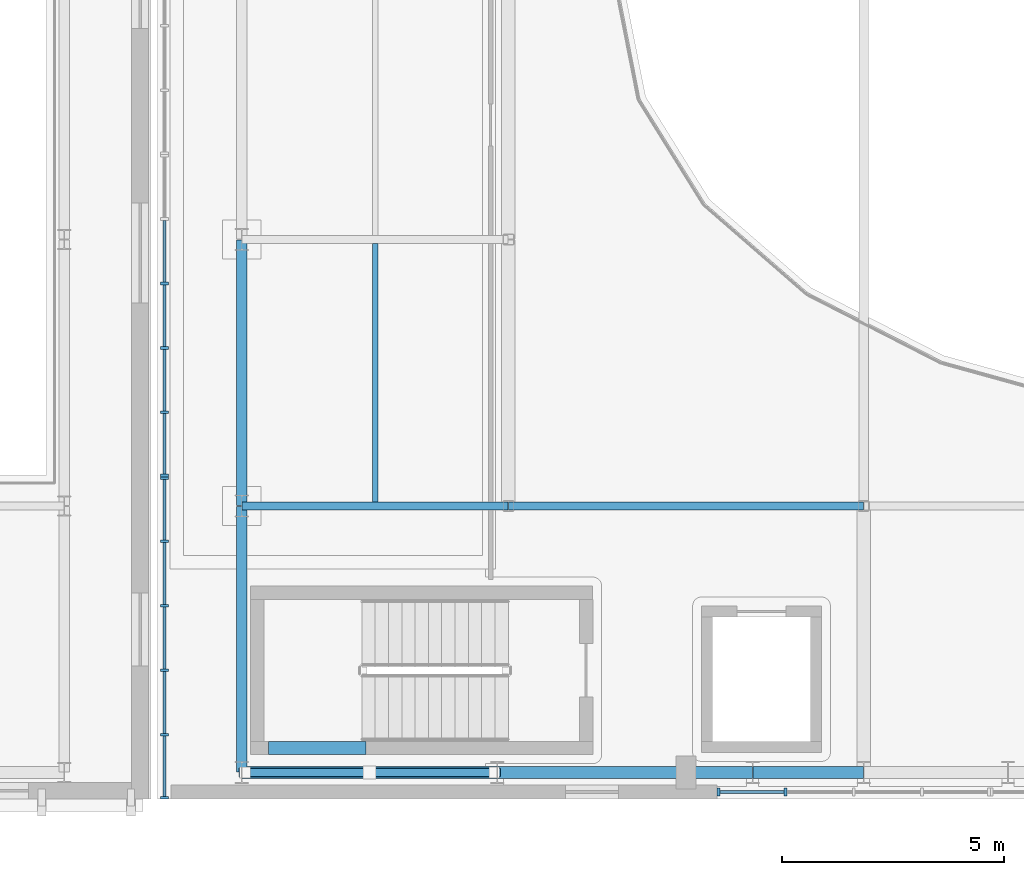
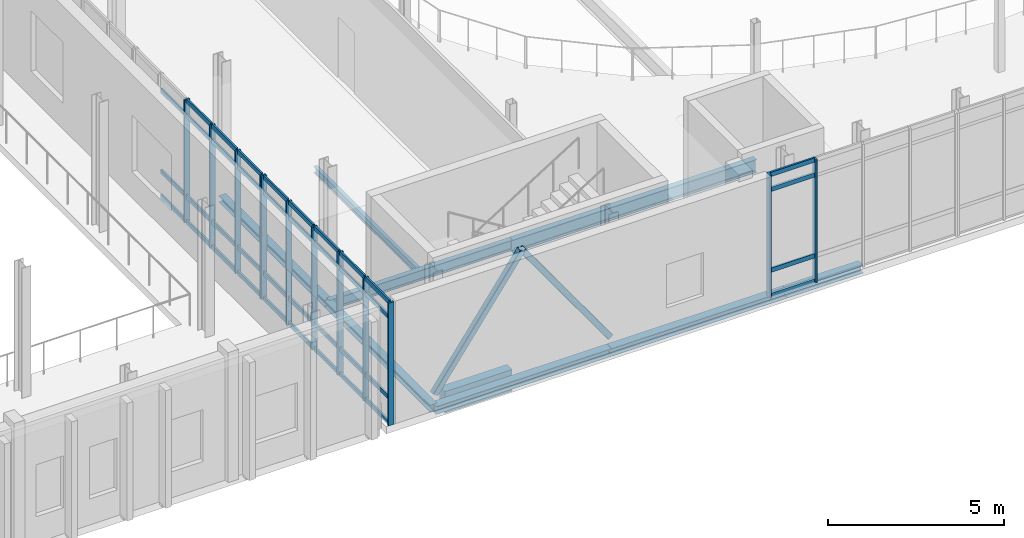
# One storey, part 17 of 100: 53 members, 9 beams, 3 elements without a shape of their own.
"""IFC4 building model written with IfcOpenShell, lengths in metres."""

from ifc_helpers import new_model, si_unit, direction, frame, origin, origin_2d, place, context, subcontext, project, spatial, rectangle, hollow_rectangle, i_section, extrude, material, material_profile, profile_set, type_object, element, aggregate, save


model = new_model("IFC4")

# Units and contexts
model_context = context("Model", 3, precision=1e-05, world=origin(), true_north=direction((0.0, 1.0)))
body_context = subcontext(model_context, "Body", "Model", "MODEL_VIEW")
ifc_project = project(units=[si_unit("LENGTHUNIT", "METRE"), si_unit("AREAUNIT", "SQUARE_METRE"), si_unit("VOLUMEUNIT", "CUBIC_METRE"), si_unit("PLANEANGLEUNIT", "RADIAN"), si_unit("MASSUNIT", "GRAM", prefix="KILO")], contexts=[model_context])

# Site, building, storey
site_placement = place(None, origin())
site = spatial("IfcSite", under=ifc_project, at=site_placement, CompositionType="ELEMENT")
building_placement = place(site_placement, origin())
building = spatial("IfcBuilding", under=site, at=building_placement, Name="Cymarion Research Institute", CompositionType="ELEMENT")
storey_placement = place(building_placement, frame((0.0, 0.0, 9.300048828125)))
storey = spatial("IfcBuildingStorey", under=building, at=storey_placement, Name="L02", CompositionType="ELEMENT", Elevation=9.300048828125)

# Beam
ifc_material_1 = material(Name="Concrete C40/50", Category="concrete")
ifc_material_profile_1 = material_profile(ifc_material_1, rectangle(XDim=0.300048828125, YDim=0.75, at=origin_2d()), Name="RC 300x750")
ifc_profile_set_1 = profile_set([ifc_material_profile_1], Name="Concrete C40/50")
beam_type_1 = type_object("IfcBeamType", Name="COUPLING LINTEL LN01 RC 300x750", PredefinedType="LINTEL", material=ifc_profile_set_1)
beam_1_placement = place(storey_placement, frame((57.199951171875, 6.050048828125, -0.64501953125), z_axis=(1.0, 0.0, 0.0), x_axis=(0.0, 1.0, 0.0)))
element("IfcBeam", 1, at=beam_1_placement, inside=storey, type_object=beam_type_1, Name="L02 C3 core coupling lintel LN01", PredefinedType="LINTEL", context=body_context, shape_type="SweptSolid", body=[
    extrude(rectangle(XDim=0.300048828125, YDim=0.75, at=origin_2d()), origin(), (0.0, 0.0, 1.0), 2.199951171875),
])

# Curtain wall, members
ifc_material_2 = material(Name="Anodised aluminium unitised curtain wall with Low-E glazing", Category="aluminium")
curtain_wall_type_1 = type_object("IfcCurtainWallType", Name="UNITISED CURTAIN WALL CW07 6150X4250", PredefinedType="NOTDEFINED", material=ifc_material_2)
curtain_wall_1_placement = place(storey_placement, origin())
curtain_wall_1 = element("IfcCurtainWall", 2, at=curtain_wall_1_placement, inside=storey, type_object=curtain_wall_type_1, Name="L02 V2 unitised curtain wall CW07 #72", PredefinedType="NOTDEFINED")
ifc_material_3 = material(Name="Anodised aluminium framing", Category="aluminium")
ifc_material_profile_2 = material_profile(ifc_material_3, rectangle(XDim=0.06005859375, YDim=0.179931640625, at=origin_2d()), Name="ALU MULLION 60x180")
ifc_profile_set_2 = profile_set([ifc_material_profile_2], Name="Anodised aluminium framing")
member_type_1 = type_object("IfcMemberType", Name="CURTAIN WALL MULLION ML01 60X180", PredefinedType="MULLION", material=ifc_profile_set_2)
member_1_placement = place(storey_placement, frame((67.3310546875, 5.06005859375, 0.0), z_axis=(0.0, 0.0, 1.0), x_axis=(1.0, 0.0, 0.0)))
member_1 = element("IfcMember", 3, at=member_1_placement, type_object=member_type_1, Name="CW07 mullion 1", PredefinedType="MULLION", context=body_context, shape_type="SweptSolid", body=[
    extrude(rectangle(XDim=0.06005859375, YDim=0.179931640625, at=origin_2d()), origin(), (0.0, 0.0, 1.0), 4.25),
])
member_2_placement = place(storey_placement, frame((68.83837890625, 5.06005859375, 0.0), z_axis=(0.0, 0.0, 1.0), x_axis=(1.0, 0.0, 0.0)))
member_2 = element("IfcMember", 4, at=member_2_placement, type_object=member_type_1, Name="CW07 mullion 2", PredefinedType="MULLION", context=body_context, shape_type="SweptSolid", body=[
    extrude(rectangle(XDim=0.06005859375, YDim=0.179931640625, at=origin_2d()), origin(), (0.0, 0.0, 1.0), 4.25),
])

curtain_wall_type_2 = type_object("IfcCurtainWallType", Name="UNITISED CURTAIN WALL CW14 7260X4250", PredefinedType="NOTDEFINED", material=ifc_material_2)
curtain_wall_2_placement = place(storey_placement, origin())
curtain_wall_2 = element("IfcCurtainWall", 5, at=curtain_wall_2_placement, inside=storey, type_object=curtain_wall_type_2, Name="L02 V2 unitised curtain wall CW14 #91", PredefinedType="NOTDEFINED")
member_3_placement = place(storey_placement, frame((54.860107421875, 16.509521484375, 0.0), z_axis=(0.0, 0.0, 1.0), x_axis=(0.0, -1.0, 0.0)))
member_3 = element("IfcMember", 6, at=member_3_placement, type_object=member_type_1, Name="CW14 mullion 3", PredefinedType="MULLION", context=body_context, shape_type="SweptSolid", body=[
    extrude(rectangle(XDim=0.06005859375, YDim=0.179931640625, at=origin_2d()), origin(), (0.0, 0.0, 1.0), 4.25),
])
member_4_placement = place(storey_placement, frame((54.860107421875, 15.058349609375, 0.0), z_axis=(0.0, 0.0, 1.0), x_axis=(0.0, -1.0, 0.0)))
member_4 = element("IfcMember", 7, at=member_4_placement, type_object=member_type_1, Name="CW14 mullion 4", PredefinedType="MULLION", context=body_context, shape_type="SweptSolid", body=[
    extrude(rectangle(XDim=0.06005859375, YDim=0.179931640625, at=origin_2d()), origin(), (0.0, 0.0, 1.0), 4.25),
])
member_5_placement = place(storey_placement, frame((54.860107421875, 13.607177734375, 0.0), z_axis=(0.0, 0.0, 1.0), x_axis=(0.0, -1.0, 0.0)))
member_5 = element("IfcMember", 8, at=member_5_placement, type_object=member_type_1, Name="CW14 mullion 5", PredefinedType="MULLION", context=body_context, shape_type="SweptSolid", body=[
    extrude(rectangle(XDim=0.06005859375, YDim=0.179931640625, at=origin_2d()), origin(), (0.0, 0.0, 1.0), 4.25),
])
member_6_placement = place(storey_placement, frame((54.860107421875, 12.18603515625, 0.0), z_axis=(0.0, 0.0, 1.0), x_axis=(0.0, -1.0, 0.0)))
member_6 = element("IfcMember", 9, at=member_6_placement, type_object=member_type_1, Name="CW14 mullion 6", PredefinedType="MULLION", context=body_context, shape_type="SweptSolid", body=[
    extrude(rectangle(XDim=0.06005859375, YDim=0.179931640625, at=origin_2d()), origin(), (0.0, 0.0, 1.0), 4.25),
])

curtain_wall_3_placement = place(storey_placement, origin())
curtain_wall_3 = element("IfcCurtainWall", 10, at=curtain_wall_3_placement, inside=storey, type_object=curtain_wall_type_2, Name="L02 V2 unitised curtain wall CW14 #92", PredefinedType="NOTDEFINED")
member_7_placement = place(storey_placement, frame((54.860107421875, 12.1259765625, 0.0), z_axis=(0.0, 0.0, 1.0), x_axis=(0.0, -1.0, 0.0)))
member_7 = element("IfcMember", 11, at=member_7_placement, type_object=member_type_1, Name="CW14 mullion 1", PredefinedType="MULLION", context=body_context, shape_type="SweptSolid", body=[
    extrude(rectangle(XDim=0.06005859375, YDim=0.179931640625, at=origin_2d()), origin(), (0.0, 0.0, 1.0), 4.25),
])
member_8_placement = place(storey_placement, frame((54.860107421875, 10.704833984375, 0.0), z_axis=(0.0, 0.0, 1.0), x_axis=(0.0, -1.0, 0.0)))
member_8 = element("IfcMember", 12, at=member_8_placement, type_object=member_type_1, Name="CW14 mullion 2", PredefinedType="MULLION", context=body_context, shape_type="SweptSolid", body=[
    extrude(rectangle(XDim=0.06005859375, YDim=0.179931640625, at=origin_2d()), origin(), (0.0, 0.0, 1.0), 4.25),
])
member_9_placement = place(storey_placement, frame((54.860107421875, 9.253662109375, 0.0), z_axis=(0.0, 0.0, 1.0), x_axis=(0.0, -1.0, 0.0)))
member_9 = element("IfcMember", 13, at=member_9_placement, type_object=member_type_1, Name="CW14 mullion 3", PredefinedType="MULLION", context=body_context, shape_type="SweptSolid", body=[
    extrude(rectangle(XDim=0.06005859375, YDim=0.179931640625, at=origin_2d()), origin(), (0.0, 0.0, 1.0), 4.25),
])
member_10_placement = place(storey_placement, frame((54.860107421875, 7.802490234375, 0.0), z_axis=(0.0, 0.0, 1.0), x_axis=(0.0, -1.0, 0.0)))
member_10 = element("IfcMember", 14, at=member_10_placement, type_object=member_type_1, Name="CW14 mullion 4", PredefinedType="MULLION", context=body_context, shape_type="SweptSolid", body=[
    extrude(rectangle(XDim=0.06005859375, YDim=0.179931640625, at=origin_2d()), origin(), (0.0, 0.0, 1.0), 4.25),
])
member_11_placement = place(storey_placement, frame((54.860107421875, 6.351318359375, 0.0), z_axis=(0.0, 0.0, 1.0), x_axis=(0.0, -1.0, 0.0)))
member_11 = element("IfcMember", 15, at=member_11_placement, type_object=member_type_1, Name="CW14 mullion 5", PredefinedType="MULLION", context=body_context, shape_type="SweptSolid", body=[
    extrude(rectangle(XDim=0.06005859375, YDim=0.179931640625, at=origin_2d()), origin(), (0.0, 0.0, 1.0), 4.25),
])
member_12_placement = place(storey_placement, frame((54.860107421875, 4.929931640625, 0.0), z_axis=(0.0, 0.0, 1.0), x_axis=(0.0, -1.0, 0.0)))
member_12 = element("IfcMember", 16, at=member_12_placement, type_object=member_type_1, Name="CW14 mullion 6", PredefinedType="MULLION", context=body_context, shape_type="SweptSolid", body=[
    extrude(rectangle(XDim=0.06005859375, YDim=0.179931640625, at=origin_2d()), origin(), (0.0, 0.0, 1.0), 4.25),
])

# Member
ifc_material_profile_3 = material_profile(ifc_material_3, rectangle(XDim=0.06005859375, YDim=0.14990234375, at=origin_2d()), Name="ALU TRANSOM 60x150")
ifc_profile_set_3 = profile_set([ifc_material_profile_3], Name="Anodised aluminium framing")
member_type_2 = type_object("IfcMemberType", Name="CURTAIN WALL TRANSOM TR01 60X150", PredefinedType="USERDEFINED", material=ifc_profile_set_3)
member_13_placement = place(storey_placement, frame((67.361083984375, 5.06005859375, 0.030029296875), z_axis=(1.0, 0.0, 0.0), x_axis=(0.0, 1.0, 0.0)))
member_13 = element("IfcMember", 17, at=member_13_placement, type_object=member_type_2, Name="CW07 transom 1.1", ObjectType="TRANSOM", PredefinedType="USERDEFINED", context=body_context, shape_type="SweptSolid", body=[
    extrude(rectangle(XDim=0.06005859375, YDim=0.14990234375, at=origin_2d()), origin(), (0.0, 0.0, 1.0), 1.447265625),
])

member_14_placement = place(storey_placement, frame((67.361083984375, 5.06005859375, 0.89990234375), z_axis=(1.0, 0.0, 0.0), x_axis=(0.0, 1.0, 0.0)))
member_14 = element("IfcMember", 18, at=member_14_placement, type_object=member_type_2, Name="CW07 transom 1.2", ObjectType="TRANSOM", PredefinedType="USERDEFINED", context=body_context, shape_type="SweptSolid", body=[
    extrude(rectangle(XDim=0.06005859375, YDim=0.14990234375, at=origin_2d()), origin(), (0.0, 0.0, 1.0), 1.447265625),
])

member_15_placement = place(storey_placement, frame((67.361083984375, 5.06005859375, 3.699951171875), z_axis=(1.0, 0.0, 0.0), x_axis=(0.0, 1.0, 0.0)))
member_15 = element("IfcMember", 19, at=member_15_placement, type_object=member_type_2, Name="CW07 transom 1.3", ObjectType="TRANSOM", PredefinedType="USERDEFINED", context=body_context, shape_type="SweptSolid", body=[
    extrude(rectangle(XDim=0.06005859375, YDim=0.14990234375, at=origin_2d()), origin(), (0.0, 0.0, 1.0), 1.447265625),
])

member_16_placement = place(storey_placement, frame((67.361083984375, 5.06005859375, 4.219970703125), z_axis=(1.0, 0.0, 0.0), x_axis=(0.0, 1.0, 0.0)))
member_16 = element("IfcMember", 20, at=member_16_placement, type_object=member_type_2, Name="CW07 transom 1.4", ObjectType="TRANSOM", PredefinedType="USERDEFINED", context=body_context, shape_type="SweptSolid", body=[
    extrude(rectangle(XDim=0.06005859375, YDim=0.14990234375, at=origin_2d()), origin(), (0.0, 0.0, 1.0), 1.447265625),
])

aggregate(curtain_wall_1, [member_1, member_2, member_13, member_14, member_15, member_16])

member_17_placement = place(storey_placement, frame((54.860107421875, 17.930908203125, 0.030029296875), z_axis=(0.0, -1.0, 0.0), x_axis=(1.0, 0.0, 0.0)))
member_17 = element("IfcMember", 21, at=member_17_placement, type_object=member_type_2, Name="CW14 transom 2.1", ObjectType="TRANSOM", PredefinedType="USERDEFINED", context=body_context, shape_type="SweptSolid", body=[
    extrude(rectangle(XDim=0.06005859375, YDim=0.14990234375, at=origin_2d()), origin(), (0.0, 0.0, 1.0), 1.391357421875),
])

member_18_placement = place(storey_placement, frame((54.860107421875, 17.930908203125, 0.89990234375), z_axis=(0.0, -1.0, 0.0), x_axis=(1.0, 0.0, 0.0)))
member_18 = element("IfcMember", 22, at=member_18_placement, type_object=member_type_2, Name="CW14 transom 2.2", ObjectType="TRANSOM", PredefinedType="USERDEFINED", context=body_context, shape_type="SweptSolid", body=[
    extrude(rectangle(XDim=0.06005859375, YDim=0.14990234375, at=origin_2d()), origin(), (0.0, 0.0, 1.0), 1.391357421875),
])

member_19_placement = place(storey_placement, frame((54.860107421875, 17.930908203125, 3.699951171875), z_axis=(0.0, -1.0, 0.0), x_axis=(1.0, 0.0, 0.0)))
member_19 = element("IfcMember", 23, at=member_19_placement, type_object=member_type_2, Name="CW14 transom 2.3", ObjectType="TRANSOM", PredefinedType="USERDEFINED", context=body_context, shape_type="SweptSolid", body=[
    extrude(rectangle(XDim=0.06005859375, YDim=0.14990234375, at=origin_2d()), origin(), (0.0, 0.0, 1.0), 1.391357421875),
])

member_20_placement = place(storey_placement, frame((54.860107421875, 16.4794921875, 0.030029296875), z_axis=(0.0, -1.0, 0.0), x_axis=(1.0, 0.0, 0.0)))
member_20 = element("IfcMember", 24, at=member_20_placement, type_object=member_type_2, Name="CW14 transom 3.1", ObjectType="TRANSOM", PredefinedType="USERDEFINED", context=body_context, shape_type="SweptSolid", body=[
    extrude(rectangle(XDim=0.06005859375, YDim=0.14990234375, at=origin_2d()), origin(), (0.0, 0.0, 1.0), 1.39111328125),
])

member_21_placement = place(storey_placement, frame((54.860107421875, 16.4794921875, 0.89990234375), z_axis=(0.0, -1.0, 0.0), x_axis=(1.0, 0.0, 0.0)))
member_21 = element("IfcMember", 25, at=member_21_placement, type_object=member_type_2, Name="CW14 transom 3.2", ObjectType="TRANSOM", PredefinedType="USERDEFINED", context=body_context, shape_type="SweptSolid", body=[
    extrude(rectangle(XDim=0.06005859375, YDim=0.14990234375, at=origin_2d()), origin(), (0.0, 0.0, 1.0), 1.39111328125),
])

member_22_placement = place(storey_placement, frame((54.860107421875, 16.4794921875, 3.699951171875), z_axis=(0.0, -1.0, 0.0), x_axis=(1.0, 0.0, 0.0)))
member_22 = element("IfcMember", 26, at=member_22_placement, type_object=member_type_2, Name="CW14 transom 3.3", ObjectType="TRANSOM", PredefinedType="USERDEFINED", context=body_context, shape_type="SweptSolid", body=[
    extrude(rectangle(XDim=0.06005859375, YDim=0.14990234375, at=origin_2d()), origin(), (0.0, 0.0, 1.0), 1.39111328125),
])

member_23_placement = place(storey_placement, frame((54.860107421875, 16.4794921875, 4.219970703125), z_axis=(0.0, -1.0, 0.0), x_axis=(1.0, 0.0, 0.0)))
member_23 = element("IfcMember", 27, at=member_23_placement, type_object=member_type_2, Name="CW14 transom 3.4", ObjectType="TRANSOM", PredefinedType="USERDEFINED", context=body_context, shape_type="SweptSolid", body=[
    extrude(rectangle(XDim=0.06005859375, YDim=0.14990234375, at=origin_2d()), origin(), (0.0, 0.0, 1.0), 1.39111328125),
])

member_24_placement = place(storey_placement, frame((54.860107421875, 15.0283203125, 0.030029296875), z_axis=(0.0, -1.0, 0.0), x_axis=(1.0, 0.0, 0.0)))
member_24 = element("IfcMember", 28, at=member_24_placement, type_object=member_type_2, Name="CW14 transom 4.1", ObjectType="TRANSOM", PredefinedType="USERDEFINED", context=body_context, shape_type="SweptSolid", body=[
    extrude(rectangle(XDim=0.06005859375, YDim=0.14990234375, at=origin_2d()), origin(), (0.0, 0.0, 1.0), 1.39111328125),
])

member_25_placement = place(storey_placement, frame((54.860107421875, 15.0283203125, 0.89990234375), z_axis=(0.0, -1.0, 0.0), x_axis=(1.0, 0.0, 0.0)))
member_25 = element("IfcMember", 29, at=member_25_placement, type_object=member_type_2, Name="CW14 transom 4.2", ObjectType="TRANSOM", PredefinedType="USERDEFINED", context=body_context, shape_type="SweptSolid", body=[
    extrude(rectangle(XDim=0.06005859375, YDim=0.14990234375, at=origin_2d()), origin(), (0.0, 0.0, 1.0), 1.39111328125),
])

member_26_placement = place(storey_placement, frame((54.860107421875, 15.0283203125, 3.699951171875), z_axis=(0.0, -1.0, 0.0), x_axis=(1.0, 0.0, 0.0)))
member_26 = element("IfcMember", 30, at=member_26_placement, type_object=member_type_2, Name="CW14 transom 4.3", ObjectType="TRANSOM", PredefinedType="USERDEFINED", context=body_context, shape_type="SweptSolid", body=[
    extrude(rectangle(XDim=0.06005859375, YDim=0.14990234375, at=origin_2d()), origin(), (0.0, 0.0, 1.0), 1.39111328125),
])

member_27_placement = place(storey_placement, frame((54.860107421875, 15.0283203125, 4.219970703125), z_axis=(0.0, -1.0, 0.0), x_axis=(1.0, 0.0, 0.0)))
member_27 = element("IfcMember", 31, at=member_27_placement, type_object=member_type_2, Name="CW14 transom 4.4", ObjectType="TRANSOM", PredefinedType="USERDEFINED", context=body_context, shape_type="SweptSolid", body=[
    extrude(rectangle(XDim=0.06005859375, YDim=0.14990234375, at=origin_2d()), origin(), (0.0, 0.0, 1.0), 1.39111328125),
])

member_28_placement = place(storey_placement, frame((54.860107421875, 13.5771484375, 0.030029296875), z_axis=(0.0, -1.0, 0.0), x_axis=(1.0, 0.0, 0.0)))
member_28 = element("IfcMember", 32, at=member_28_placement, type_object=member_type_2, Name="CW14 transom 5.1", ObjectType="TRANSOM", PredefinedType="USERDEFINED", context=body_context, shape_type="SweptSolid", body=[
    extrude(rectangle(XDim=0.06005859375, YDim=0.14990234375, at=origin_2d()), origin(), (0.0, 0.0, 1.0), 1.361083984375),
])

member_29_placement = place(storey_placement, frame((54.860107421875, 13.5771484375, 0.89990234375), z_axis=(0.0, -1.0, 0.0), x_axis=(1.0, 0.0, 0.0)))
member_29 = element("IfcMember", 33, at=member_29_placement, type_object=member_type_2, Name="CW14 transom 5.2", ObjectType="TRANSOM", PredefinedType="USERDEFINED", context=body_context, shape_type="SweptSolid", body=[
    extrude(rectangle(XDim=0.06005859375, YDim=0.14990234375, at=origin_2d()), origin(), (0.0, 0.0, 1.0), 1.361083984375),
])

member_30_placement = place(storey_placement, frame((54.860107421875, 13.5771484375, 3.699951171875), z_axis=(0.0, -1.0, 0.0), x_axis=(1.0, 0.0, 0.0)))
member_30 = element("IfcMember", 34, at=member_30_placement, type_object=member_type_2, Name="CW14 transom 5.3", ObjectType="TRANSOM", PredefinedType="USERDEFINED", context=body_context, shape_type="SweptSolid", body=[
    extrude(rectangle(XDim=0.06005859375, YDim=0.14990234375, at=origin_2d()), origin(), (0.0, 0.0, 1.0), 1.361083984375),
])

member_31_placement = place(storey_placement, frame((54.860107421875, 13.5771484375, 4.219970703125), z_axis=(0.0, -1.0, 0.0), x_axis=(1.0, 0.0, 0.0)))
member_31 = element("IfcMember", 35, at=member_31_placement, type_object=member_type_2, Name="CW14 transom 5.4", ObjectType="TRANSOM", PredefinedType="USERDEFINED", context=body_context, shape_type="SweptSolid", body=[
    extrude(rectangle(XDim=0.06005859375, YDim=0.14990234375, at=origin_2d()), origin(), (0.0, 0.0, 1.0), 1.361083984375),
])

aggregate(curtain_wall_2, [member_3, member_4, member_5, member_6, member_17, member_18, member_19, member_20, member_21, member_22, member_23, member_24, member_25, member_26, member_27, member_28, member_29, member_30, member_31])

member_32_placement = place(storey_placement, frame((54.860107421875, 12.095947265625, 0.030029296875), z_axis=(0.0, -1.0, 0.0), x_axis=(1.0, 0.0, 0.0)))
member_32 = element("IfcMember", 36, at=member_32_placement, type_object=member_type_2, Name="CW14 transom 1.1", ObjectType="TRANSOM", PredefinedType="USERDEFINED", context=body_context, shape_type="SweptSolid", body=[
    extrude(rectangle(XDim=0.06005859375, YDim=0.14990234375, at=origin_2d()), origin(), (0.0, 0.0, 1.0), 1.361083984375),
])

member_33_placement = place(storey_placement, frame((54.860107421875, 12.095947265625, 0.89990234375), z_axis=(0.0, -1.0, 0.0), x_axis=(1.0, 0.0, 0.0)))
member_33 = element("IfcMember", 37, at=member_33_placement, type_object=member_type_2, Name="CW14 transom 1.2", ObjectType="TRANSOM", PredefinedType="USERDEFINED", context=body_context, shape_type="SweptSolid", body=[
    extrude(rectangle(XDim=0.06005859375, YDim=0.14990234375, at=origin_2d()), origin(), (0.0, 0.0, 1.0), 1.361083984375),
])

member_34_placement = place(storey_placement, frame((54.860107421875, 12.095947265625, 3.699951171875), z_axis=(0.0, -1.0, 0.0), x_axis=(1.0, 0.0, 0.0)))
member_34 = element("IfcMember", 38, at=member_34_placement, type_object=member_type_2, Name="CW14 transom 1.3", ObjectType="TRANSOM", PredefinedType="USERDEFINED", context=body_context, shape_type="SweptSolid", body=[
    extrude(rectangle(XDim=0.06005859375, YDim=0.14990234375, at=origin_2d()), origin(), (0.0, 0.0, 1.0), 1.361083984375),
])

member_35_placement = place(storey_placement, frame((54.860107421875, 12.095947265625, 4.219970703125), z_axis=(0.0, -1.0, 0.0), x_axis=(1.0, 0.0, 0.0)))
member_35 = element("IfcMember", 39, at=member_35_placement, type_object=member_type_2, Name="CW14 transom 1.4", ObjectType="TRANSOM", PredefinedType="USERDEFINED", context=body_context, shape_type="SweptSolid", body=[
    extrude(rectangle(XDim=0.06005859375, YDim=0.14990234375, at=origin_2d()), origin(), (0.0, 0.0, 1.0), 1.361083984375),
])

member_36_placement = place(storey_placement, frame((54.860107421875, 10.6748046875, 0.030029296875), z_axis=(0.0, -1.0, 0.0), x_axis=(1.0, 0.0, 0.0)))
member_36 = element("IfcMember", 40, at=member_36_placement, type_object=member_type_2, Name="CW14 transom 2.1", ObjectType="TRANSOM", PredefinedType="USERDEFINED", context=body_context, shape_type="SweptSolid", body=[
    extrude(rectangle(XDim=0.06005859375, YDim=0.14990234375, at=origin_2d()), origin(), (0.0, 0.0, 1.0), 1.39111328125),
])

member_37_placement = place(storey_placement, frame((54.860107421875, 10.6748046875, 0.89990234375), z_axis=(0.0, -1.0, 0.0), x_axis=(1.0, 0.0, 0.0)))
member_37 = element("IfcMember", 41, at=member_37_placement, type_object=member_type_2, Name="CW14 transom 2.2", ObjectType="TRANSOM", PredefinedType="USERDEFINED", context=body_context, shape_type="SweptSolid", body=[
    extrude(rectangle(XDim=0.06005859375, YDim=0.14990234375, at=origin_2d()), origin(), (0.0, 0.0, 1.0), 1.39111328125),
])

member_38_placement = place(storey_placement, frame((54.860107421875, 10.6748046875, 3.699951171875), z_axis=(0.0, -1.0, 0.0), x_axis=(1.0, 0.0, 0.0)))
member_38 = element("IfcMember", 42, at=member_38_placement, type_object=member_type_2, Name="CW14 transom 2.3", ObjectType="TRANSOM", PredefinedType="USERDEFINED", context=body_context, shape_type="SweptSolid", body=[
    extrude(rectangle(XDim=0.06005859375, YDim=0.14990234375, at=origin_2d()), origin(), (0.0, 0.0, 1.0), 1.39111328125),
])

member_39_placement = place(storey_placement, frame((54.860107421875, 10.6748046875, 4.219970703125), z_axis=(0.0, -1.0, 0.0), x_axis=(1.0, 0.0, 0.0)))
member_39 = element("IfcMember", 43, at=member_39_placement, type_object=member_type_2, Name="CW14 transom 2.4", ObjectType="TRANSOM", PredefinedType="USERDEFINED", context=body_context, shape_type="SweptSolid", body=[
    extrude(rectangle(XDim=0.06005859375, YDim=0.14990234375, at=origin_2d()), origin(), (0.0, 0.0, 1.0), 1.39111328125),
])

member_40_placement = place(storey_placement, frame((54.860107421875, 9.2236328125, 0.030029296875), z_axis=(0.0, -1.0, 0.0), x_axis=(1.0, 0.0, 0.0)))
member_40 = element("IfcMember", 44, at=member_40_placement, type_object=member_type_2, Name="CW14 transom 3.1", ObjectType="TRANSOM", PredefinedType="USERDEFINED", context=body_context, shape_type="SweptSolid", body=[
    extrude(rectangle(XDim=0.06005859375, YDim=0.14990234375, at=origin_2d()), origin(), (0.0, 0.0, 1.0), 1.39111328125),
])

member_41_placement = place(storey_placement, frame((54.860107421875, 9.2236328125, 0.89990234375), z_axis=(0.0, -1.0, 0.0), x_axis=(1.0, 0.0, 0.0)))
member_41 = element("IfcMember", 45, at=member_41_placement, type_object=member_type_2, Name="CW14 transom 3.2", ObjectType="TRANSOM", PredefinedType="USERDEFINED", context=body_context, shape_type="SweptSolid", body=[
    extrude(rectangle(XDim=0.06005859375, YDim=0.14990234375, at=origin_2d()), origin(), (0.0, 0.0, 1.0), 1.39111328125),
])

member_42_placement = place(storey_placement, frame((54.860107421875, 9.2236328125, 3.699951171875), z_axis=(0.0, -1.0, 0.0), x_axis=(1.0, 0.0, 0.0)))
member_42 = element("IfcMember", 46, at=member_42_placement, type_object=member_type_2, Name="CW14 transom 3.3", ObjectType="TRANSOM", PredefinedType="USERDEFINED", context=body_context, shape_type="SweptSolid", body=[
    extrude(rectangle(XDim=0.06005859375, YDim=0.14990234375, at=origin_2d()), origin(), (0.0, 0.0, 1.0), 1.39111328125),
])

member_43_placement = place(storey_placement, frame((54.860107421875, 9.2236328125, 4.219970703125), z_axis=(0.0, -1.0, 0.0), x_axis=(1.0, 0.0, 0.0)))
member_43 = element("IfcMember", 47, at=member_43_placement, type_object=member_type_2, Name="CW14 transom 3.4", ObjectType="TRANSOM", PredefinedType="USERDEFINED", context=body_context, shape_type="SweptSolid", body=[
    extrude(rectangle(XDim=0.06005859375, YDim=0.14990234375, at=origin_2d()), origin(), (0.0, 0.0, 1.0), 1.39111328125),
])

member_44_placement = place(storey_placement, frame((54.860107421875, 7.7724609375, 0.030029296875), z_axis=(0.0, -1.0, 0.0), x_axis=(1.0, 0.0, 0.0)))
member_44 = element("IfcMember", 48, at=member_44_placement, type_object=member_type_2, Name="CW14 transom 4.1", ObjectType="TRANSOM", PredefinedType="USERDEFINED", context=body_context, shape_type="SweptSolid", body=[
    extrude(rectangle(XDim=0.06005859375, YDim=0.14990234375, at=origin_2d()), origin(), (0.0, 0.0, 1.0), 1.391357421875),
])

member_45_placement = place(storey_placement, frame((54.860107421875, 7.7724609375, 0.89990234375), z_axis=(0.0, -1.0, 0.0), x_axis=(1.0, 0.0, 0.0)))
member_45 = element("IfcMember", 49, at=member_45_placement, type_object=member_type_2, Name="CW14 transom 4.2", ObjectType="TRANSOM", PredefinedType="USERDEFINED", context=body_context, shape_type="SweptSolid", body=[
    extrude(rectangle(XDim=0.06005859375, YDim=0.14990234375, at=origin_2d()), origin(), (0.0, 0.0, 1.0), 1.391357421875),
])

member_46_placement = place(storey_placement, frame((54.860107421875, 7.7724609375, 3.699951171875), z_axis=(0.0, -1.0, 0.0), x_axis=(1.0, 0.0, 0.0)))
member_46 = element("IfcMember", 50, at=member_46_placement, type_object=member_type_2, Name="CW14 transom 4.3", ObjectType="TRANSOM", PredefinedType="USERDEFINED", context=body_context, shape_type="SweptSolid", body=[
    extrude(rectangle(XDim=0.06005859375, YDim=0.14990234375, at=origin_2d()), origin(), (0.0, 0.0, 1.0), 1.391357421875),
])

member_47_placement = place(storey_placement, frame((54.860107421875, 7.7724609375, 4.219970703125), z_axis=(0.0, -1.0, 0.0), x_axis=(1.0, 0.0, 0.0)))
member_47 = element("IfcMember", 51, at=member_47_placement, type_object=member_type_2, Name="CW14 transom 4.4", ObjectType="TRANSOM", PredefinedType="USERDEFINED", context=body_context, shape_type="SweptSolid", body=[
    extrude(rectangle(XDim=0.06005859375, YDim=0.14990234375, at=origin_2d()), origin(), (0.0, 0.0, 1.0), 1.391357421875),
])

member_48_placement = place(storey_placement, frame((54.860107421875, 6.3212890625, 0.030029296875), z_axis=(0.0, -1.0, 0.0), x_axis=(1.0, 0.0, 0.0)))
member_48 = element("IfcMember", 52, at=member_48_placement, type_object=member_type_2, Name="CW14 transom 5.1", ObjectType="TRANSOM", PredefinedType="USERDEFINED", context=body_context, shape_type="SweptSolid", body=[
    extrude(rectangle(XDim=0.06005859375, YDim=0.14990234375, at=origin_2d()), origin(), (0.0, 0.0, 1.0), 1.361328125),
])

member_49_placement = place(storey_placement, frame((54.860107421875, 6.3212890625, 0.89990234375), z_axis=(0.0, -1.0, 0.0), x_axis=(1.0, 0.0, 0.0)))
member_49 = element("IfcMember", 53, at=member_49_placement, type_object=member_type_2, Name="CW14 transom 5.2", ObjectType="TRANSOM", PredefinedType="USERDEFINED", context=body_context, shape_type="SweptSolid", body=[
    extrude(rectangle(XDim=0.06005859375, YDim=0.14990234375, at=origin_2d()), origin(), (0.0, 0.0, 1.0), 1.361328125),
])

member_50_placement = place(storey_placement, frame((54.860107421875, 6.3212890625, 3.699951171875), z_axis=(0.0, -1.0, 0.0), x_axis=(1.0, 0.0, 0.0)))
member_50 = element("IfcMember", 54, at=member_50_placement, type_object=member_type_2, Name="CW14 transom 5.3", ObjectType="TRANSOM", PredefinedType="USERDEFINED", context=body_context, shape_type="SweptSolid", body=[
    extrude(rectangle(XDim=0.06005859375, YDim=0.14990234375, at=origin_2d()), origin(), (0.0, 0.0, 1.0), 1.361328125),
])

member_51_placement = place(storey_placement, frame((54.860107421875, 6.3212890625, 4.219970703125), z_axis=(0.0, -1.0, 0.0), x_axis=(1.0, 0.0, 0.0)))
member_51 = element("IfcMember", 55, at=member_51_placement, type_object=member_type_2, Name="CW14 transom 5.4", ObjectType="TRANSOM", PredefinedType="USERDEFINED", context=body_context, shape_type="SweptSolid", body=[
    extrude(rectangle(XDim=0.06005859375, YDim=0.14990234375, at=origin_2d()), origin(), (0.0, 0.0, 1.0), 1.361328125),
])

aggregate(curtain_wall_3, [member_7, member_8, member_9, member_10, member_11, member_12, member_32, member_33, member_34, member_35, member_36, member_37, member_38, member_39, member_40, member_41, member_42, member_43, member_44, member_45, member_46, member_47, member_48, member_49, member_50, member_51])

# Beams
ifc_material_4 = material(Name="Steel S355", Category="steel")
ifc_material_profile_4 = material_profile(ifc_material_4, i_section(OverallWidth=0.18994140625, OverallDepth=0.449951171875, WebThickness=0.009521484375, FlangeThickness=0.0146484375, FilletRadius=0.02099609375, at=origin_2d()), Name="IPE 450")
ifc_profile_set_4 = profile_set([ifc_material_profile_4], Name="Steel S355")
beam_type_2 = type_object("IfcBeamType", Name="PRIMARY GIRDER BM04 IPE 450", PredefinedType="BEAM", material=ifc_profile_set_4)
beam_2_placement = place(storey_placement, frame((62.60595703125, 11.5, -0.47509765625), z_axis=(1.0, 0.0, 0.0), x_axis=(0.0, 1.0, 0.0)))
element("IfcBeam", 56, at=beam_2_placement, inside=storey, type_object=beam_type_2, Name="L02 V2 girder BM04 #882", PredefinedType="BEAM", context=body_context, shape_type="SweptSolid", body=[
    extrude(i_section(OverallWidth=0.18994140625, OverallDepth=0.449951171875, WebThickness=0.009521484375, FlangeThickness=0.0146484375, FilletRadius=0.02099609375, at=origin_2d()), origin(), (0.0, 0.0, 1.0), 7.988037109375),
])
ifc_material_profile_5 = material_profile(ifc_material_4, i_section(OverallWidth=0.169921875, OverallDepth=0.360107421875, WebThickness=0.008056640625, FlangeThickness=0.0126953125, FilletRadius=0.01806640625, at=origin_2d()), Name="IPE 360")
ifc_profile_set_5 = profile_set([ifc_material_profile_5], Name="Steel S355")
beam_type_3 = type_object("IfcBeamType", Name="PRIMARY GIRDER BM06 IPE 360", PredefinedType="BEAM", material=ifc_profile_set_5)
beam_3_placement = place(storey_placement, frame((56.60595703125, 11.5, -0.429931640625), z_axis=(1.0, 0.0, 0.0), x_axis=(0.0, 1.0, 0.0)))
element("IfcBeam", 57, at=beam_3_placement, inside=storey, type_object=beam_type_3, Name="L02 V2 girder BM06 #881", PredefinedType="BEAM", context=body_context, shape_type="SweptSolid", body=[
    extrude(i_section(OverallWidth=0.169921875, OverallDepth=0.360107421875, WebThickness=0.008056640625, FlangeThickness=0.0126953125, FilletRadius=0.01806640625, at=origin_2d()), origin(), (0.0, 0.0, 1.0), 5.988037109375),
])
ifc_material_profile_6 = material_profile(ifc_material_4, i_section(OverallWidth=0.1201171875, OverallDepth=0.239990234375, WebThickness=0.006103515625, FlangeThickness=0.009765625, FilletRadius=0.014892578125, at=origin_2d()), Name="IPE 240")
ifc_profile_set_6 = profile_set([ifc_material_profile_6], Name="Steel S355")
beam_type_4 = type_object("IfcBeamType", Name="SECONDARY JOIST JS04 IPE 240", PredefinedType="JOIST", material=ifc_profile_set_6)
beam_4_placement = place(storey_placement, frame((59.60009765625, 11.589111328125, -0.3701171875), z_axis=(0.0, 1.0, 0.0), x_axis=(-1.0, 0.0, 0.0)))
element("IfcBeam", 58, at=beam_4_placement, inside=storey, type_object=beam_type_4, Name="L02 V2 secondary joist JS04 #930", PredefinedType="JOIST", context=body_context, shape_type="SweptSolid", body=[
    extrude(i_section(OverallWidth=0.1201171875, OverallDepth=0.239990234375, WebThickness=0.006103515625, FlangeThickness=0.009765625, FilletRadius=0.014892578125, at=origin_2d()), origin(), (0.0, 0.0, 1.0), 5.82177734375),
])
ifc_material_profile_7 = material_profile(ifc_material_4, i_section(OverallWidth=0.280029296875, OverallDepth=0.27001953125, WebThickness=0.008056640625, FlangeThickness=0.012939453125, FilletRadius=0.02392578125, at=origin_2d()), Name="HEA 280")
ifc_profile_set_7 = profile_set([ifc_material_profile_7], Name="Steel S355")
beam_type_5 = type_object("IfcBeamType", Name="SPANDREL BEAM SPB02 HEA 280", PredefinedType="SPANDREL", material=ifc_profile_set_7)
for number, where, z_axis, x_axis, name in (
    (59, (56.60595703125, 5.5, -0.385009765625), (1.0, 0.0, 0.0), (0.0, 1.0, 0.0), "L02 V2 girder SPB02 #871"),
    (60, (62.35595703125, 5.5, -0.385009765625), (1.0, 0.0, 0.0), (0.0, 1.0, 0.0), "L02 V2 girder SPB02 #872"),
):
    element("IfcBeam", number, at=place(storey_placement, frame(where, z_axis=z_axis, x_axis=x_axis)), inside=storey, type_object=beam_type_5, Name=name, PredefinedType="SPANDREL", context=body_context, shape_type="SweptSolid", body=[
        extrude(i_section(OverallWidth=0.280029296875, OverallDepth=0.27001953125, WebThickness=0.008056640625, FlangeThickness=0.012939453125, FilletRadius=0.02392578125, at=origin_2d()), origin(), (0.0, 0.0, 1.0), 5.738037109375),
    ])
beam_5_placement = place(storey_placement, frame((68.10595703125, 5.5, -0.385009765625), z_axis=(1.0, 0.0, 0.0), x_axis=(0.0, 1.0, 0.0)))
element("IfcBeam", 61, at=beam_5_placement, inside=storey, type_object=beam_type_5, Name="L02 V2 girder SPB02 #873", PredefinedType="SPANDREL", context=body_context, shape_type="SweptSolid", body=[
    extrude(i_section(OverallWidth=0.280029296875, OverallDepth=0.27001953125, WebThickness=0.008056640625, FlangeThickness=0.012939453125, FilletRadius=0.02392578125, at=origin_2d()), origin(), (0.0, 0.0, 1.0), 2.488037109375),
])
ifc_material_profile_8 = material_profile(ifc_material_4, i_section(OverallWidth=0.239990234375, OverallDepth=0.22998046875, WebThickness=0.007568359375, FlangeThickness=0.011962890625, FilletRadius=0.02099609375, at=origin_2d()), Name="HEA 240")
ifc_profile_set_8 = profile_set([ifc_material_profile_8], Name="Steel S355")
beam_type_6 = type_object("IfcBeamType", Name="SPANDREL BEAM SPB03 HEA 240", PredefinedType="SPANDREL", material=ifc_profile_set_8)
for number, where, z_axis, x_axis, name in (
    (62, (56.60009765625, 5.506103515625, -0.364990234375), (0.0, 1.0, 0.0), (-1.0, 0.0, 0.0), "L02 V2 girder SPB03 #905"),
    (63, (56.60009765625, 11.506103515625, -0.364990234375), (0.0, 1.0, 0.0), (-1.0, 0.0, 0.0), "L02 V2 girder SPB03 #906"),
):
    element("IfcBeam", number, at=place(storey_placement, frame(where, z_axis=z_axis, x_axis=x_axis)), inside=storey, type_object=beam_type_6, Name=name, PredefinedType="SPANDREL", context=body_context, shape_type="SweptSolid", body=[
        extrude(i_section(OverallWidth=0.239990234375, OverallDepth=0.22998046875, WebThickness=0.007568359375, FlangeThickness=0.011962890625, FilletRadius=0.02099609375, at=origin_2d()), origin(), (0.0, 0.0, 1.0), 5.98779296875),
    ])

# Members
ifc_material_profile_9 = material_profile(ifc_material_4, hollow_rectangle(XDim=0.199951171875, YDim=0.199951171875, WallThickness=0.010009765625, InnerFilletRadius=0.014892578125, OuterFilletRadius=0.02490234375, at=origin_2d()), Name="SHS 200x200x10")
ifc_profile_set_9 = profile_set([ifc_material_profile_9], Name="Steel S355")
member_type_3 = type_object("IfcMemberType", Name="STRUCTURAL MEMBER BR07 SHS 200x200x10", PredefinedType="BRACE", material=ifc_profile_set_9)
for number, where, z_axis, x_axis, name in (
    (64, (56.61181640625, 5.5, 0.119873046875), (0.582240089664, 0.0, 0.813016898956), (0.0, 1.0, 0.0), "L02 V2 seismic chevron brace BR07 #1"),
    (65, (62.33837890625, 5.5, 0.119873046875), (-0.582272970895, 0.0, 0.812993350136), (0.0, -1.0, 0.0), "L02 V2 seismic chevron brace BR07 #2"),
):
    element("IfcMember", number, at=place(storey_placement, frame(where, z_axis=z_axis, x_axis=x_axis)), inside=storey, type_object=member_type_3, Name=name, PredefinedType="BRACE", context=body_context, shape_type="SweptSolid", body=[
        extrude(hollow_rectangle(XDim=0.199951171875, YDim=0.199951171875, WallThickness=0.010009765625, InnerFilletRadius=0.014892578125, OuterFilletRadius=0.02490234375, at=origin_2d()), origin(), (0.0, 0.0, 1.0), 4.90771484375),
    ])

save(model, "model.ifc")
